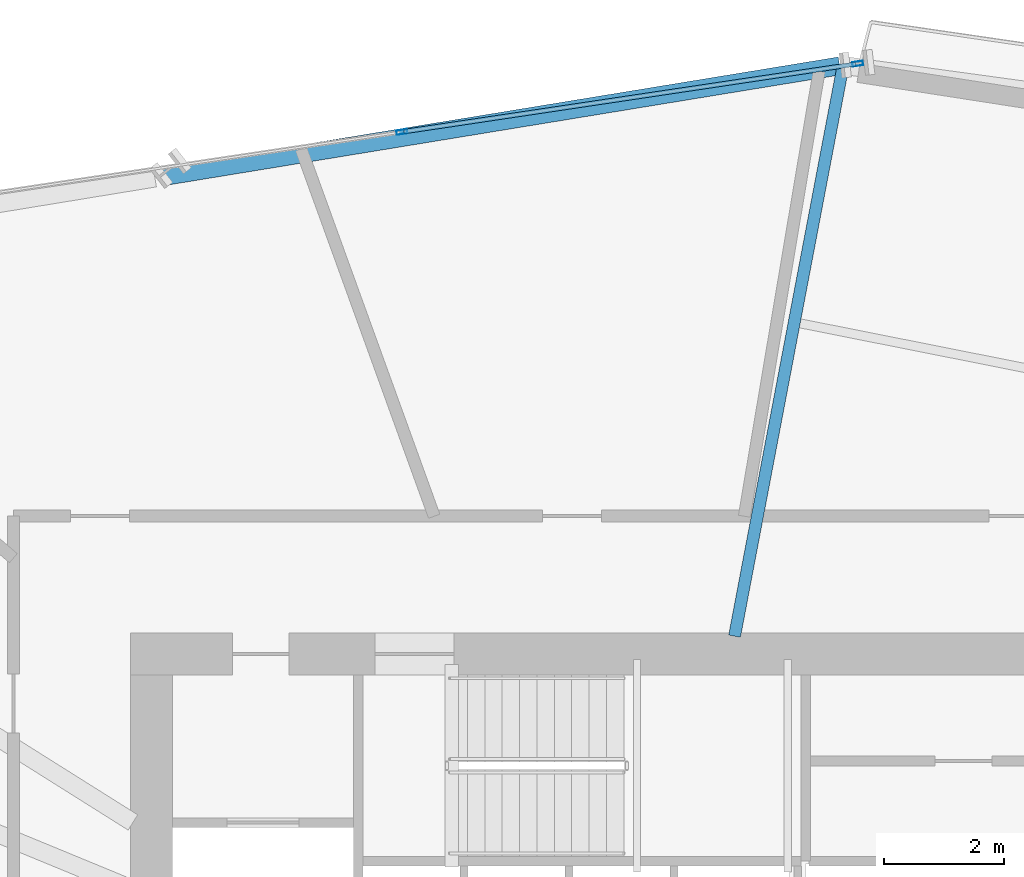
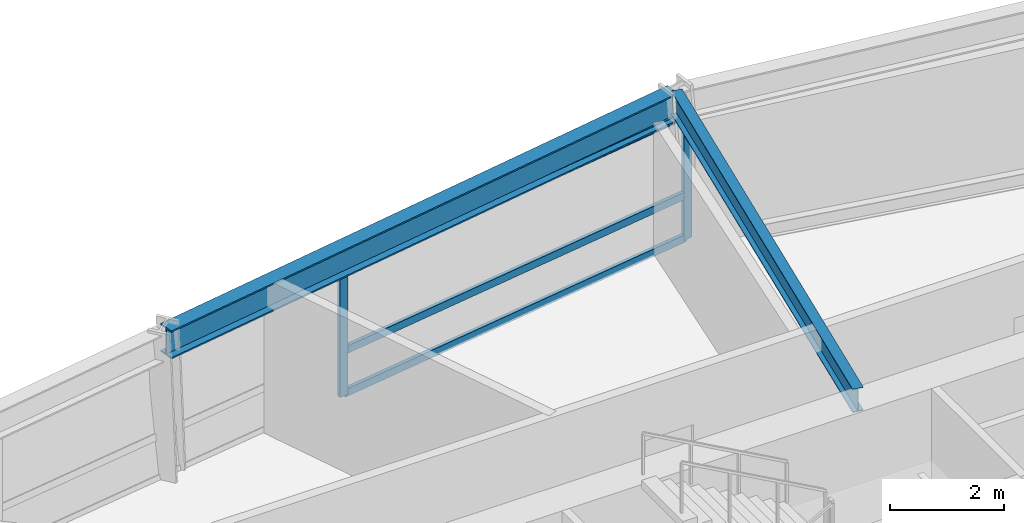
# One storey, part 5 of 14: 5 members, 2 beams, 1 element without a shape of its own.
"""IFC4 building model written with IfcOpenShell, lengths in metres."""

import ifcopenshell
import ifcopenshell.guid

model = None  # the IFC model being written
_history = None  # IfcOwnerHistory: only IFC2X3 demands one
_inside = {}  # id of a spatial element -> (the spatial element, [elements in it])
_under = {}  # id of a project, library or spatial element -> (it, [spatial elements below it])
_declared = {}  # id of a project -> (the project, [libraries it declares])
_typed = {}  # id of a type object -> (the type object, [elements of that type])
_made_of = {}  # id of a material, layer set ... -> (it, [elements and type objects made of it])


def new_model(schema):
    """Start an empty IFC model of exactly this schema.

    Asked for "IFC4X3", IfcOpenShell would pick the latest addendum, in which some entities
    have other attributes; the version numbers below select the first issue.
    IFC2X3 requires an IfcOwnerHistory on every rooted entity: one is made here for all.
    """
    global model, _history
    if schema == "IFC4X3":
        model = ifcopenshell.file(schema_version=(4, 3, 0, 0))
    else:
        model = ifcopenshell.file(schema=schema)
    _inside.clear()
    _under.clear()
    _declared.clear()
    _typed.clear()
    _made_of.clear()
    _history = None
    if model.schema == "IFC2X3":
        org = make("IfcOrganization", Name="unknown")
        user = make(
            "IfcPersonAndOrganization",
            ThePerson=make("IfcPerson", FamilyName="unknown"),
            TheOrganization=org,
        )
        app = make(
            "IfcApplication",
            ApplicationDeveloper=org,
            Version="unknown",
            ApplicationFullName="unknown",
            ApplicationIdentifier="unknown",
        )
        _history = make(
            "IfcOwnerHistory",
            OwningUser=user,
            OwningApplication=app,
            ChangeAction="ADDED",
            CreationDate=0,
        )
    return model


def make(cls, **values):
    """One entity of the class cls with the attributes given. An attribute that is None is left unset."""
    return model.create_entity(
        cls, **{name: value for name, value in values.items() if value is not None}
    )


def rooted(cls, **values):
    """An entity with a GlobalId (a new one), such as an element, a storey or a relation."""
    return make(cls, GlobalId=ifcopenshell.guid.new(), OwnerHistory=_history, **values)


def si_unit(unit_type, name, prefix=None):
    """IfcSIUnit, for example si_unit("LENGTHUNIT", "METRE", prefix="MILLI")."""
    return make("IfcSIUnit", UnitType=unit_type, Prefix=prefix, Name=name)


def assignment(units):
    """IfcUnitAssignment: the units of a project."""
    return None if units is None else make("IfcUnitAssignment", Units=units)


def point(xyz):
    """IfcCartesianPoint."""
    return None if xyz is None else make("IfcCartesianPoint", Coordinates=xyz)


def direction(xyz):
    """IfcDirection."""
    return None if xyz is None else make("IfcDirection", DirectionRatios=xyz)


def frame(location, z_axis=None, x_axis=None):
    """IfcAxis2Placement3D, a coordinate frame: its origin and axes. An axis left out is left unset."""
    return make(
        "IfcAxis2Placement3D",
        Location=point(location),
        Axis=direction(z_axis),
        RefDirection=direction(x_axis),
    )


def frame_2d(location, x_axis=None):
    """IfcAxis2Placement2D, a coordinate frame in the plane: its origin and x axis."""
    return make(
        "IfcAxis2Placement2D", Location=point(location), RefDirection=direction(x_axis)
    )


def origin():
    """The frame at (0, 0, 0) with its axes left unset."""
    return frame((0.0, 0.0, 0.0))


def origin_2d():
    """The frame at (0, 0) in the plane with its x axis left unset."""
    return frame_2d((0.0, 0.0))


def place(relative_to, where):
    """IfcLocalPlacement: puts the frame where relative to a parent placement (None: the world)."""
    return make(
        "IfcLocalPlacement", PlacementRelTo=relative_to, RelativePlacement=where
    )


def context(
    kind, dimensions, precision=None, world=None, true_north=None, identifier=None
):
    """IfcGeometricRepresentationContext, for example the 3D "Model" context."""
    return make(
        "IfcGeometricRepresentationContext",
        ContextIdentifier=identifier,
        ContextType=kind,
        CoordinateSpaceDimension=dimensions,
        Precision=precision,
        WorldCoordinateSystem=world,
        TrueNorth=true_north,
    )


def subcontext(parent, identifier, kind, view, scale=None):
    """IfcGeometricRepresentationSubContext, for example "Body" below "Model"."""
    return make(
        "IfcGeometricRepresentationSubContext",
        ContextIdentifier=identifier,
        ContextType=kind,
        ParentContext=parent,
        TargetScale=scale,
        TargetView=view,
    )


def project(units=None, contexts=None):
    """IfcProject with its units and contexts."""
    return rooted(
        "IfcProject",
        Name="project",
        RepresentationContexts=contexts,
        UnitsInContext=assignment(units),
    )


def spatial(cls, under=None, at=None, **own):
    """A site, building, storey or space (cls), placed at a placement, below another one or the project."""
    s = rooted(cls, ObjectPlacement=at, **own)
    if under is not None:
        _under.setdefault(under.id(), (under, []))[1].append(s)
    return s


def profile(cls, at=None, kind="AREA", **sizes):
    """A parametric profile (cls). Its sizes go by their IFC names, for example OverallWidth=200.0."""
    return make(cls, ProfileType=kind, Position=at, **sizes)


def hollow_rectangle(**sizes):
    """IfcRectangleHollowProfileDef."""
    return profile("IfcRectangleHollowProfileDef", **sizes)


def i_section(**sizes):
    """IfcIShapeProfileDef."""
    return profile("IfcIShapeProfileDef", **sizes)


def extrude(swept, where, along, depth):
    """IfcExtrudedAreaSolid: the profile swept, set in the frame where, extruded along a direction by depth."""
    return make(
        "IfcExtrudedAreaSolid",
        SweptArea=swept,
        Position=where,
        ExtrudedDirection=direction(along),
        Depth=depth,
    )


def shape(context_of_items, identifier, shape_type, items):
    """IfcShapeRepresentation: the items that make up one representation, for example the "Body"."""
    return make(
        "IfcShapeRepresentation",
        ContextOfItems=context_of_items,
        RepresentationIdentifier=identifier,
        RepresentationType=shape_type,
        Items=items,
    )


def source(mapping_origin, context_of_items, identifier, shape_type, items):
    """IfcRepresentationMap: a shape defined once, which mapped items show again and again."""
    return make(
        "IfcRepresentationMap",
        MappingOrigin=mapping_origin,
        MappedRepresentation=shape(context_of_items, identifier, shape_type, items),
    )


def transform(
    local_origin,
    x_axis=None,
    y_axis=None,
    z_axis=None,
    scale=None,
    scale2=None,
    scale3=None,
    uniform=True,
):
    """IfcCartesianTransformationOperator3D, or its non-uniform kind. x_axis, y_axis, z_axis: its Axis1, 2, 3."""
    if uniform:
        return make(
            "IfcCartesianTransformationOperator3D",
            Axis1=direction(x_axis),
            Axis2=direction(y_axis),
            LocalOrigin=point(local_origin),
            Scale=scale,
            Axis3=direction(z_axis),
        )
    return make(
        "IfcCartesianTransformationOperator3DnonUniform",
        Axis1=direction(x_axis),
        Axis2=direction(y_axis),
        LocalOrigin=point(local_origin),
        Scale=scale,
        Axis3=direction(z_axis),
        Scale2=scale2,
        Scale3=scale3,
    )


def mapped(mapping_source, mapping_target):
    """IfcMappedItem: shows the shape of a source again, moved by a transform."""
    return make(
        "IfcMappedItem", MappingSource=mapping_source, MappingTarget=mapping_target
    )


def material(Name=None, Category=None):
    """IfcMaterial."""
    return make("IfcMaterial", Name=Name, Category=Category)


def material_profile(
    of_material, cross_section, Name=None, Category=None, Priority=None
):
    """IfcMaterialProfile: a cross section and its material."""
    return make(
        "IfcMaterialProfile",
        Name=Name,
        Material=of_material,
        Profile=cross_section,
        Priority=Priority,
        Category=Category,
    )


def profile_set(profiles, Name=None, composite=None):
    """IfcMaterialProfileSet."""
    return make(
        "IfcMaterialProfileSet",
        Name=Name,
        MaterialProfiles=profiles,
        CompositeProfile=composite,
    )


def made_of(thing, what):
    """Note that an element or type object is made of a material, layer set ...; save() writes the relation."""
    if what is not None:
        _made_of.setdefault(what.id(), (what, []))[1].append(thing)
    return thing


def type_object(cls, material=None, **own):
    """A type object (cls), such as IfcWallType, which elements share."""
    return made_of(rooted(cls, **own), material)


def element(
    cls,
    number,
    at=None,
    inside=None,
    cuts=None,
    type_object=None,
    material=None,
    context=None,
    identifier="Body",
    shape_type=None,
    held_by="IfcProductDefinitionShape",
    body=None,
    shapes=None,
    **own,
):
    """One element of the class cls, such as IfcWall. Its Tag is "e" and its number.

    at: its placement. inside: the storey or other place that contains it. cuts: it is an
    opening in that element (IfcRelVoidsElement). A single representation is given by context,
    identifier, shape_type and body (its items); several are given by shapes. held_by: the class
    of the entity that holds the representations. save() writes the other relations.
    """
    e = rooted(cls, Tag="e%d" % number, ObjectPlacement=at, **own)
    if body is not None:
        shapes = [shape(context, identifier, shape_type, body)]
    if shapes is not None:
        e.Representation = make(held_by, Representations=shapes)
    if inside is not None:
        _inside.setdefault(inside.id(), (inside, []))[1].append(e)
    if cuts is not None:
        rooted(
            "IfcRelVoidsElement", RelatingBuildingElement=cuts, RelatedOpeningElement=e
        )
    if type_object is not None:
        _typed.setdefault(type_object.id(), (type_object, []))[1].append(e)
    return made_of(e, material)


def aggregate(whole, parts):
    """IfcRelAggregates: a whole, such as a stair, and the parts it consists of."""
    return rooted("IfcRelAggregates", RelatingObject=whole, RelatedObjects=parts)


def save(model, path):
    """Write the relations noted so far, then the file.

    IfcRelAggregates (storeys below a building ...), IfcRelContainedInSpatialStructure (elements
    in a storey), IfcRelDefinesByType, IfcRelAssociatesMaterial and IfcRelDeclares: one each for
    every whole, place, type object, material and project.
    """
    for whole, parts in _under.values():
        aggregate(whole, parts)
    for where, things in _inside.values():
        rooted(
            "IfcRelContainedInSpatialStructure",
            RelatedElements=things,
            RelatingStructure=where,
        )
    for kind, things in _typed.values():
        rooted("IfcRelDefinesByType", RelatedObjects=things, RelatingType=kind)
    for what, things in _made_of.values():
        rooted("IfcRelAssociatesMaterial", RelatedObjects=things, RelatingMaterial=what)
    for by, libraries in _declared.values():
        rooted("IfcRelDeclares", RelatingContext=by, RelatedDefinitions=libraries)
    model.write(path)


model = new_model("IFC4")

# Units and contexts
model_context = context("Model", 3, precision=1e-05, world=origin(), true_north=direction((0.0, 1.0)))
body_context = subcontext(model_context, "Body", "Model", "MODEL_VIEW")
ifc_project = project(units=[si_unit("LENGTHUNIT", "METRE"), si_unit("AREAUNIT", "SQUARE_METRE"), si_unit("VOLUMEUNIT", "CUBIC_METRE"), si_unit("PLANEANGLEUNIT", "RADIAN"), si_unit("MASSUNIT", "GRAM", prefix="KILO")], contexts=[model_context])

# Site, building, storey
site_placement = place(None, origin())
site = spatial("IfcSite", under=ifc_project, at=site_placement, CompositionType="ELEMENT")
building_placement = place(site_placement, origin())
building = spatial("IfcBuilding", under=site, at=building_placement, Name="Olszyna Solenne Hotel", CompositionType="ELEMENT")
storey_placement = place(building_placement, frame((0.0, 0.0, 130.550048828125)))
storey = spatial("IfcBuildingStorey", under=building, at=storey_placement, Name="L34", CompositionType="ELEMENT", Elevation=130.550048828125)

# Beams
ifc_material_1 = material(Name="Steel S355J2", Category="steel")
ifc_material_profile_1 = material_profile(ifc_material_1, i_section(OverallWidth=0.300048828125, OverallDepth=0.60009765625, WebThickness=0.015380859375, FlangeThickness=0.030029296875, at=origin_2d()), Name="HEB 600", Category="load-bearing")
ifc_profile_set_1 = profile_set([ifc_material_profile_1], Name="Steel S355J2")
beam_type_1 = type_object("IfcBeamType", Name="BM-S2", PredefinedType="BEAM", material=ifc_profile_set_1)
shared_shape_1 = source(origin(), body_context, "Body", "SweptSolid", [
    extrude(i_section(OverallWidth=0.300048828125, OverallDepth=0.60009765625, WebThickness=0.015380859375, FlangeThickness=0.030029296875, at=origin_2d()), origin(), (0.0, 0.0, 1.0), 11.44775390625),
])
beam_1_placement = place(storey_placement, frame((41.226318359375, 43.858642578125, 3.0), z_axis=(-0.986854553556, -0.161610922048, 0.0), x_axis=(0.161610922048, -0.986854553556, 0.0)))
element("IfcBeam", 1, at=beam_1_placement, inside=storey, type_object=beam_type_1, Name="Perimeter spandrel beam BM-S2 B-L34-1018", PredefinedType="BEAM", context=body_context, shape_type="MappedRepresentation", body=[
    mapped(shared_shape_1, transform((0.0, 0.0, 0.0), x_axis=(1.0, 0.0, 0.0), y_axis=(0.0, 1.0, 0.0), z_axis=(0.0, 0.0, 1.0), scale=1.0)),
])
ifc_material_profile_2 = material_profile(ifc_material_1, i_section(OverallWidth=0.199951171875, OverallDepth=0.5, WebThickness=0.01025390625, FlangeThickness=0.01611328125, at=origin_2d()), Name="IPE 500", Category="load-bearing")
ifc_profile_set_2 = profile_set([ifc_material_profile_2], Name="Steel S355J2")
beam_type_2 = type_object("IfcBeamType", Name="BM-F3", PredefinedType="BEAM", material=ifc_profile_set_2)
shared_shape_2 = source(origin(), body_context, "Body", "SweptSolid", [
    extrude(i_section(OverallWidth=0.199951171875, OverallDepth=0.5, WebThickness=0.01025390625, FlangeThickness=0.01611328125, at=origin_2d()), origin(), (0.0, 0.0, 1.0), 9.628173828125),
])
beam_2_placement = place(storey_placement, frame((41.2744140625, 43.809326171875, 3.050048828125), z_axis=(-0.186930334711, -0.982373172458, 0.0), x_axis=(0.982373172458, -0.186930334711, 0.0)))
element("IfcBeam", 2, at=beam_2_placement, inside=storey, type_object=beam_type_2, Name="Radial floor girder BM-F3 B-L34-1030", PredefinedType="BEAM", context=body_context, shape_type="MappedRepresentation", body=[
    mapped(shared_shape_2, transform((0.0, 0.0, 0.0), x_axis=(1.0, 0.0, 0.0), y_axis=(0.0, 1.0, 0.0), z_axis=(0.0, 0.0, 1.0), scale=1.0)),
])

# Curtain wall, members
ifc_material_2 = material(Name="Anodised bronze aluminium", Category="aluminium")
curtain_wall_type = type_object("IfcCurtainWallType", Name="CW-SYS-3", PredefinedType="NOTDEFINED", material=ifc_material_2)
curtain_wall_placement = place(storey_placement, origin())
curtain_wall = element("IfcCurtainWall", 3, at=curtain_wall_placement, inside=storey, type_object=curtain_wall_type, Name="Unitised curtain wall CW-SYS-3 CW-L34-02", PredefinedType="NOTDEFINED")
ifc_material_profile_3 = material_profile(ifc_material_2, hollow_rectangle(XDim=0.074951171875, YDim=0.179931640625, WallThickness=0.00439453125, at=origin_2d()), Name="MULL 180x75x4.5", Category="load-bearing")
ifc_profile_set_3 = profile_set([ifc_material_profile_3], Name="Anodised bronze aluminium")
member_type_1 = type_object("IfcMemberType", Name="CW-M2", PredefinedType="MULLION", material=ifc_profile_set_3)
shared_shape_3 = source(origin(), body_context, "Body", "SweptSolid", [
    extrude(hollow_rectangle(XDim=0.074951171875, YDim=0.179931640625, WallThickness=0.00439453125, at=origin_2d()), origin(), (0.0, 0.0, 1.0), 2.69189453125),
])
member_1_placement = place(storey_placement, frame((33.9287109375, 42.75732421875, 0.0), z_axis=(0.0, 0.0, 1.0), x_axis=(-0.148061402675, 0.988978170152, 0.0)))
member_1 = element("IfcMember", 4, at=member_1_placement, type_object=member_type_1, Name="Curtain-wall mullion CW-M2 CM-L34-02-03", PredefinedType="MULLION", context=body_context, shape_type="MappedRepresentation", body=[
    mapped(shared_shape_3, transform((0.0, 0.0, 0.0), x_axis=(1.0, 0.0, 0.0), y_axis=(0.0, 1.0, 0.0), z_axis=(0.0, 0.0, 1.0), scale=1.0)),
])
member_2_placement = place(storey_placement, frame((41.52880859375, 43.895263671875, 0.0), z_axis=(0.0, 0.0, 1.0), x_axis=(-0.148061402675, 0.988978170152, 0.0)))
member_2 = element("IfcMember", 5, at=member_2_placement, type_object=member_type_1, Name="Curtain-wall mullion CW-M2 CM-L34-02-04", PredefinedType="MULLION", context=body_context, shape_type="MappedRepresentation", body=[
    mapped(shared_shape_3, transform((0.0, 0.0, 0.0), x_axis=(1.0, 0.0, 0.0), y_axis=(0.0, 1.0, 0.0), z_axis=(0.0, 0.0, 1.0), scale=1.0)),
])
ifc_material_profile_4 = material_profile(ifc_material_2, hollow_rectangle(XDim=0.074951171875, YDim=0.159912109375, WallThickness=0.00390625, at=origin_2d()), Name="TRAN 160x75x4", Category="load-bearing")
ifc_profile_set_4 = profile_set([ifc_material_profile_4], Name="Anodised bronze aluminium")
member_type_2 = type_object("IfcMemberType", Name="CW-T1", PredefinedType="USERDEFINED", material=ifc_profile_set_4)
shared_shape_4 = source(origin(), body_context, "Body", "SweptSolid", [
    extrude(hollow_rectangle(XDim=0.074951171875, YDim=0.159912109375, WallThickness=0.00390625, at=origin_2d()), origin(), (0.0, 0.0, 1.0), 7.60986328125),
])
member_3_placement = place(storey_placement, frame((33.9658203125, 42.762939453125, 0.037353515625), z_axis=(0.988978201236, 0.148061195053, 0.0), x_axis=(-0.148061195053, 0.988978201236, 0.0)))
member_3 = element("IfcMember", 6, at=member_3_placement, type_object=member_type_2, Name="Curtain-wall transom CW-T1 CT-L34-02-07", ObjectType="TRANSOM", PredefinedType="USERDEFINED", context=body_context, shape_type="MappedRepresentation", body=[
    mapped(shared_shape_4, transform((0.0, 0.0, 0.0), x_axis=(1.0, 0.0, 0.0), y_axis=(0.0, 1.0, 0.0), z_axis=(0.0, 0.0, 1.0), scale=1.0)),
])
member_4_placement = place(storey_placement, frame((33.9658203125, 42.762939453125, 0.949951171875), z_axis=(0.988978201236, 0.148061195053, 0.0), x_axis=(-0.148061195053, 0.988978201236, 0.0)))
member_4 = element("IfcMember", 7, at=member_4_placement, type_object=member_type_2, Name="Curtain-wall transom CW-T1 CT-L34-02-08", ObjectType="TRANSOM", PredefinedType="USERDEFINED", context=body_context, shape_type="MappedRepresentation", body=[
    mapped(shared_shape_4, transform((0.0, 0.0, 0.0), x_axis=(1.0, 0.0, 0.0), y_axis=(0.0, 1.0, 0.0), z_axis=(0.0, 0.0, 1.0), scale=1.0)),
])
member_5_placement = place(storey_placement, frame((33.9658203125, 42.762939453125, 2.654541015625), z_axis=(0.988978201236, 0.148061195053, 0.0), x_axis=(-0.148061195053, 0.988978201236, 0.0)))
member_5 = element("IfcMember", 8, at=member_5_placement, type_object=member_type_2, Name="Curtain-wall transom CW-T1 CT-L34-02-09", ObjectType="TRANSOM", PredefinedType="USERDEFINED", context=body_context, shape_type="MappedRepresentation", body=[
    mapped(shared_shape_4, transform((0.0, 0.0, 0.0), x_axis=(1.0, 0.0, 0.0), y_axis=(0.0, 1.0, 0.0), z_axis=(0.0, 0.0, 1.0), scale=1.0)),
])
aggregate(curtain_wall, [member_1, member_2, member_3, member_4, member_5])

save(model, "model.ifc")
